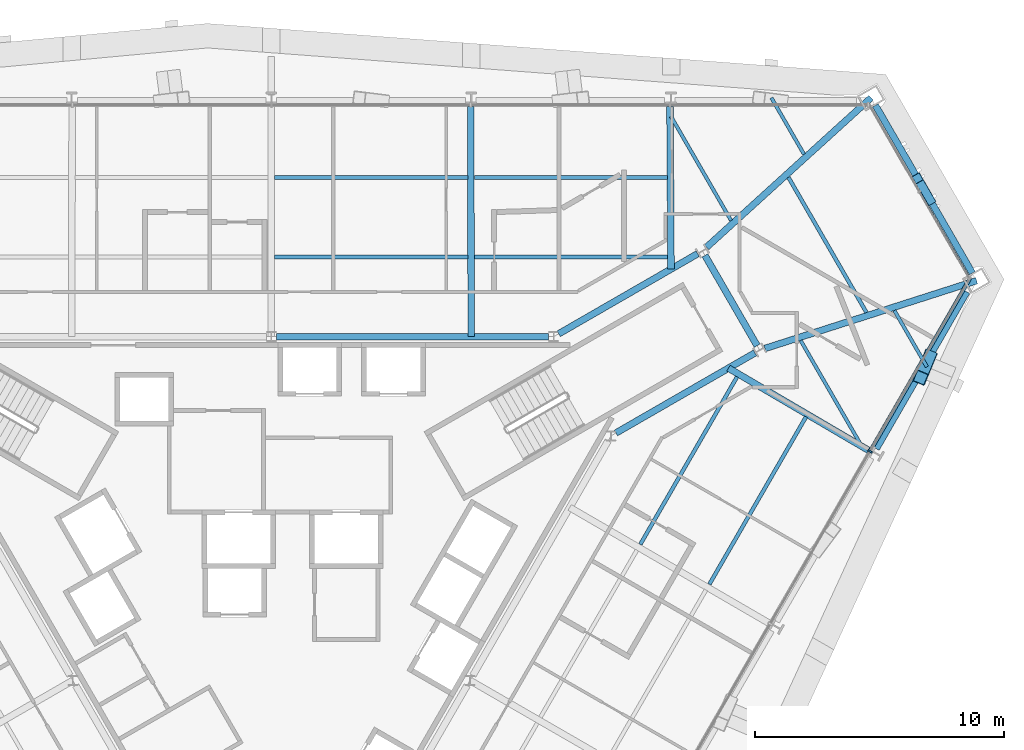
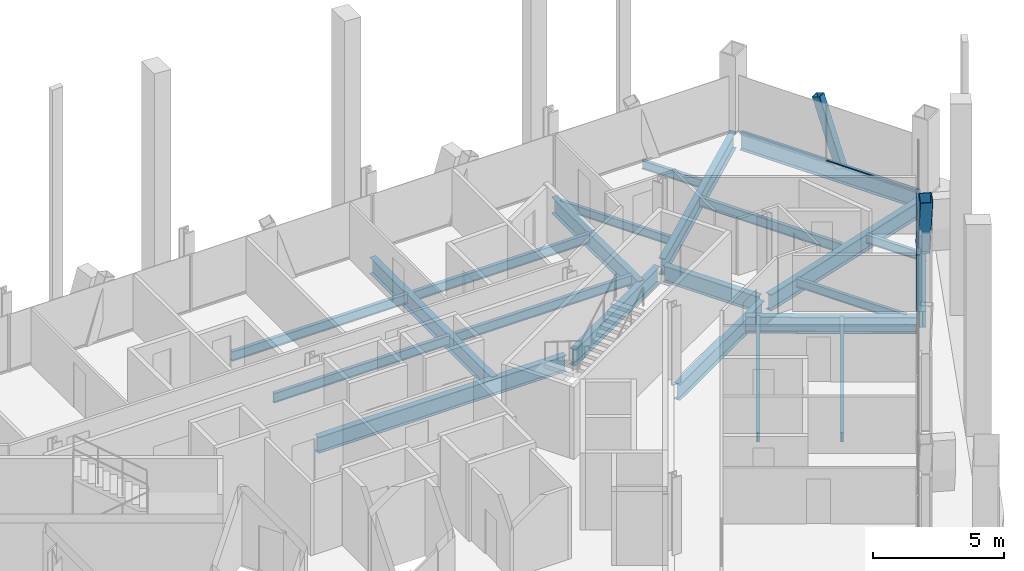
# One storey, part 7 of 16: 22 beams, 5 members, 2 elements without a shape of their own.
"""IFC4 building model written with IfcOpenShell, lengths in metres."""

from ifc_helpers import new_model, si_unit, direction, frame, origin, origin_2d, place, context, subcontext, project, spatial, rectangle, hollow_rectangle, i_section, extrude, material, material_profile, profile_set, type_object, element, aggregate, save


model = new_model("IFC4")

# Units and contexts
model_context = context("Model", 3, precision=1e-05, world=origin(), true_north=direction((0.0, 1.0)))
body_context = subcontext(model_context, "Body", "Model", "MODEL_VIEW")
ifc_project = project(units=[si_unit("LENGTHUNIT", "METRE"), si_unit("AREAUNIT", "SQUARE_METRE"), si_unit("VOLUMEUNIT", "CUBIC_METRE"), si_unit("PLANEANGLEUNIT", "RADIAN"), si_unit("MASSUNIT", "GRAM", prefix="KILO")], contexts=[model_context])

# Site, building, storey
site_placement = place(None, origin())
site = spatial("IfcSite", under=ifc_project, at=site_placement, CompositionType="ELEMENT")
building_placement = place(site_placement, origin())
building = spatial("IfcBuilding", under=site, at=building_placement, Name="Verrane Prism Tower", CompositionType="ELEMENT")
storey_placement = place(building_placement, frame((0.0, 0.0, 103.60009765625)))
storey = spatial("IfcBuildingStorey", under=building, at=storey_placement, Name="L24", CompositionType="ELEMENT", Elevation=103.60009765625)

# Member
ifc_material_1 = material(Name="Steel A500 Grade C", Category="steel")
ifc_material_profile_1 = material_profile(ifc_material_1, hollow_rectangle(XDim=0.355712890625, YDim=0.355712890625, WallThickness=0.0126953125, InnerFilletRadius=0.00634765625, OuterFilletRadius=0.01904296875, at=origin_2d()), Name="HSS14x14x1/2")
ifc_profile_set_1 = profile_set([ifc_material_profile_1], Name="Steel A500 Grade C")
member_type_1 = type_object("IfcMemberType", Name="Chamfer brace HSS14x14x1/2", PredefinedType="BRACE", material=ifc_profile_set_1)
member_1_placement = place(storey_placement, frame((26.442626953125, 14.6826171875, -0.2451171875), z_axis=(-0.159433027634, 0.276098858391, 0.94781355239), x_axis=(-0.865988354552, -0.500064165663, 0.0)))
element("IfcMember", 1, at=member_1_placement, inside=storey, type_object=member_type_1, Name="Chamfer brace NE0 L24", PredefinedType="BRACE", context=body_context, shape_type="SweptSolid", body=[
    extrude(hollow_rectangle(XDim=0.355712890625, YDim=0.355712890625, WallThickness=0.0126953125, InnerFilletRadius=0.00634765625, OuterFilletRadius=0.01904296875, at=origin_2d()), origin(), (0.0, 0.0, 1.0), 3.168212890625),
])

# Beams
ifc_material_2 = material(Name="Steel A992", Category="steel")
ifc_material_profile_2 = material_profile(ifc_material_2, i_section(OverallWidth=0.2666015625, OverallDepth=0.76708984375, WebThickness=0.014892578125, FlangeThickness=0.023681640625, FilletRadius=0.0166015625, at=origin_2d()), Name="W30x124")
ifc_profile_set_2 = profile_set([ifc_material_profile_2], Name="Steel A992")
beam_type_1 = type_object("IfcBeamType", Name="Chamfer spandrel beam W30x124", PredefinedType="SPANDREL", material=ifc_profile_set_2)
beam_1_placement = place(storey_placement, frame((28.135009765625, 11.753173828125, -0.543701171875), z_axis=(-0.500214307011, 0.865901638214, 0.0), x_axis=(-0.865901638214, -0.500214307011, 0.0)))
element("IfcBeam", 2, at=beam_1_placement, inside=storey, type_object=beam_type_1, Name="Chamfer spandrel beam L24", PredefinedType="SPANDREL", context=body_context, shape_type="SweptSolid", body=[
    extrude(i_section(OverallWidth=0.2666015625, OverallDepth=0.76708984375, WebThickness=0.014892578125, FlangeThickness=0.023681640625, FilletRadius=0.0166015625, at=origin_2d()), origin(), (0.0, 0.0, 1.0), 7.7763671875),
])
ifc_material_3 = material(Name="Steel A992", Category="steel")
ifc_material_profile_3 = material_profile(ifc_material_3, i_section(OverallWidth=0.2666015625, OverallDepth=0.7568359375, WebThickness=0.013916015625, FlangeThickness=0.019287109375, FilletRadius=0.0166015625, at=origin_2d()), Name="W30x108")
ifc_profile_set_3 = profile_set([ifc_material_profile_3], Name="Steel A992")
beam_type_2 = type_object("IfcBeamType", Name="Core ring girder W30x108", PredefinedType="BEAM", material=ifc_profile_set_3)
beam_2_placement = place(storey_placement, frame((13.830810546875, 5.335693359375, -0.628662109375), z_axis=(0.866455532004, 0.499254254924, 0.0), x_axis=(-0.499254254924, 0.866455532004, 0.0)))
element("IfcBeam", 3, at=beam_2_placement, inside=storey, type_object=beam_type_2, Name="Core ring girder L24", PredefinedType="BEAM", context=body_context, shape_type="SweptSolid", body=[
    extrude(i_section(OverallWidth=0.2666015625, OverallDepth=0.7568359375, WebThickness=0.013916015625, FlangeThickness=0.019287109375, FilletRadius=0.0166015625, at=origin_2d()), origin(), (0.0, 0.0, 1.0), 6.441162109375),
])
beam_3_placement = place(storey_placement, frame((19.4970703125, 8.838134765625, -0.628662109375), z_axis=(-0.500367003619, 0.865813410435, 0.0), x_axis=(-0.865813410435, -0.500367003619, 0.0)))
element("IfcBeam", 4, at=beam_3_placement, inside=storey, type_object=beam_type_2, Name="Core ring girder L24", PredefinedType="BEAM", context=body_context, shape_type="SweptSolid", body=[
    extrude(i_section(OverallWidth=0.2666015625, OverallDepth=0.7568359375, WebThickness=0.013916015625, FlangeThickness=0.019287109375, FilletRadius=0.0166015625, at=origin_2d()), origin(), (0.0, 0.0, 1.0), 4.185302734375),
])
beam_4_placement = place(storey_placement, frame((17.11181640625, 12.531494140625, -0.628662109375), z_axis=(-0.866455532004, -0.499254254924, 0.0), x_axis=(0.499254254924, -0.866455532004, 0.0)))
element("IfcBeam", 5, at=beam_4_placement, inside=storey, type_object=beam_type_2, Name="Core ring girder L24", PredefinedType="BEAM", context=body_context, shape_type="SweptSolid", body=[
    extrude(i_section(OverallWidth=0.2666015625, OverallDepth=0.7568359375, WebThickness=0.013916015625, FlangeThickness=0.019287109375, FilletRadius=0.0166015625, at=origin_2d()), origin(), (0.0, 0.0, 1.0), 6.441162109375),
])
beam_5_placement = place(storey_placement, frame((11.12939453125, 9.199951171875, -0.628662109375), z_axis=(-1.0, 0.0, 0.0), x_axis=(0.0, -1.0, 0.0)))
element("IfcBeam", 6, at=beam_5_placement, inside=storey, type_object=beam_type_2, Name="Core ring girder L24", PredefinedType="BEAM", context=body_context, shape_type="SweptSolid", body=[
    extrude(i_section(OverallWidth=0.2666015625, OverallDepth=0.7568359375, WebThickness=0.013916015625, FlangeThickness=0.019287109375, FilletRadius=0.0166015625, at=origin_2d()), origin(), (0.0, 0.0, 1.0), 10.9287109375),
])
ifc_material_4 = material(Name="Steel A992", Category="steel")
ifc_material_profile_4 = material_profile(ifc_material_4, i_section(OverallWidth=0.2666015625, OverallDepth=0.76708984375, WebThickness=0.014892578125, FlangeThickness=0.023681640625, FilletRadius=0.0166015625, at=origin_2d()), Name="W30x124")
ifc_profile_set_4 = profile_set([ifc_material_profile_4], Name="Steel A992")
beam_type_3 = type_object("IfcBeamType", Name="Corner girder W30x124", PredefinedType="BEAM", material=ifc_profile_set_4)
beam_6_placement = place(storey_placement, frame((28.3056640625, 11.448486328125, -0.603515625), z_axis=(-0.952340206189, -0.305037918423, 0.0), x_axis=(0.305037918423, -0.952340206189, 0.0)))
element("IfcBeam", 7, at=beam_6_placement, inside=storey, type_object=beam_type_3, Name="Corner girder L24", PredefinedType="BEAM", context=body_context, shape_type="SweptSolid", body=[
    extrude(i_section(OverallWidth=0.2666015625, OverallDepth=0.76708984375, WebThickness=0.014892578125, FlangeThickness=0.023681640625, FilletRadius=0.0166015625, at=origin_2d()), origin(), (0.0, 0.0, 1.0), 8.919189453125),
])
beam_7_placement = place(storey_placement, frame((24.068115234375, 18.788330078125, -0.603515625), z_axis=(-0.740172818675, -0.67241668517, 0.0), x_axis=(0.67241668517, -0.740172818675, 0.0)))
element("IfcBeam", 8, at=beam_7_placement, inside=storey, type_object=beam_type_3, Name="Corner girder L24", PredefinedType="BEAM", context=body_context, shape_type="SweptSolid", body=[
    extrude(i_section(OverallWidth=0.2666015625, OverallDepth=0.76708984375, WebThickness=0.014892578125, FlangeThickness=0.023681640625, FilletRadius=0.0166015625, at=origin_2d()), origin(), (0.0, 0.0, 1.0), 8.921630859375),
])

# Member
ifc_material_5 = material(Name="Steel A1085 Grade A", Category="steel")
ifc_material_profile_5 = material_profile(ifc_material_5, hollow_rectangle(XDim=0.508056640625, YDim=0.508056640625, WallThickness=0.025390625, InnerFilletRadius=0.0126953125, OuterFilletRadius=0.0380859375, at=origin_2d()), Name="HSS20x20x1")
ifc_profile_set_5 = profile_set([ifc_material_profile_5], Name="Steel A1085 Grade A")
member_type_2 = type_object("IfcMemberType", Name="Facade brace HSS20x20x1", PredefinedType="BRACE", material=ifc_profile_set_5)
member_2_placement = place(storey_placement, frame((26.413818359375, 8.402587890625, -0.24267578125), z_axis=(-0.111490091487, -0.269253229302, 0.956594301682), x_axis=(0.923925927829, -0.382571404949, 0.0)))
element("IfcMember", 9, at=member_2_placement, inside=storey, type_object=member_type_2, Name="Facade brace SE5 L24", PredefinedType="BRACE", context=body_context, shape_type="SweptSolid", body=[
    extrude(hollow_rectangle(XDim=0.508056640625, YDim=0.508056640625, WallThickness=0.025390625, InnerFilletRadius=0.0126953125, OuterFilletRadius=0.0380859375, at=origin_2d()), origin(), (0.0, 0.0, 1.0), 3.14453125),
])

# Beams
ifc_material_6 = material(Name="Steel A992", Category="steel")
ifc_material_profile_6 = material_profile(ifc_material_6, i_section(OverallWidth=0.140380859375, OverallDepth=0.40380859375, WebThickness=0.007080078125, FlangeThickness=0.01123046875, FilletRadius=0.01025390625, at=origin_2d()), Name="W16x31")
ifc_profile_set_6 = profile_set([ifc_material_profile_6], Name="Steel A992")
beam_type_4 = type_object("IfcBeamType", Name="Floor beam W16x31", PredefinedType="BEAM", material=ifc_profile_set_6)
beam_8_placement = place(storey_placement, frame((21.37744140625, 16.5244140625, -0.362060546875), z_axis=(-0.500013263306, 0.866017746076, 0.0), x_axis=(-0.866017746076, -0.500013263306, 0.0)))
element("IfcBeam", 10, at=beam_8_placement, inside=storey, type_object=beam_type_4, Name="Floor beam L24", PredefinedType="BEAM", context=body_context, shape_type="SweptSolid", body=[
    extrude(i_section(OverallWidth=0.140380859375, OverallDepth=0.40380859375, WebThickness=0.007080078125, FlangeThickness=0.01123046875, FilletRadius=0.01025390625, at=origin_2d()), origin(), (0.0, 0.0, 1.0), 2.6162109375),
])
beam_9_placement = place(storey_placement, frame((18.4501953125, 13.864990234375, -0.362060546875), z_axis=(-0.499995735968, 0.866027865611, 0.0), x_axis=(-0.866027865611, -0.499995735968, 0.0)))
element("IfcBeam", 11, at=beam_9_placement, inside=storey, type_object=beam_type_4, Name="Floor beam L24", PredefinedType="BEAM", context=body_context, shape_type="SweptSolid", body=[
    extrude(i_section(OverallWidth=0.140380859375, OverallDepth=0.40380859375, WebThickness=0.007080078125, FlangeThickness=0.01123046875, FilletRadius=0.01025390625, at=origin_2d()), origin(), (0.0, 0.0, 1.0), 4.8203125),
])
beam_10_placement = place(storey_placement, frame((26.31298828125, 7.98876953125, -0.362060546875), z_axis=(-0.500037863578, 0.866003542134, 0.0), x_axis=(-0.866003542134, -0.500037863578, 0.0)))
element("IfcBeam", 12, at=beam_10_placement, inside=storey, type_object=beam_type_4, Name="Floor beam L24", PredefinedType="BEAM", context=body_context, shape_type="SweptSolid", body=[
    extrude(i_section(OverallWidth=0.140380859375, OverallDepth=0.40380859375, WebThickness=0.007080078125, FlangeThickness=0.01123046875, FilletRadius=0.01025390625, at=origin_2d()), origin(), (0.0, 0.0, 1.0), 2.613037109375),
])
beam_11_placement = place(storey_placement, frame((23.654052734375, 4.873291015625, -0.362060546875), z_axis=(-0.499991431567, 0.866030350715, 0.0), x_axis=(-0.866030350715, -0.499991431567, 0.0)))
element("IfcBeam", 13, at=beam_11_placement, inside=storey, type_object=beam_type_4, Name="Floor beam L24", PredefinedType="BEAM", context=body_context, shape_type="SweptSolid", body=[
    extrude(i_section(OverallWidth=0.140380859375, OverallDepth=0.40380859375, WebThickness=0.007080078125, FlangeThickness=0.01123046875, FilletRadius=0.01025390625, at=origin_2d()), origin(), (0.0, 0.0, 1.0), 4.81884765625),
])
ifc_material_7 = material(Name="Steel A992", Category="steel")
ifc_material_profile_7 = material_profile(ifc_material_7, i_section(OverallWidth=0.15234375, OverallDepth=0.449462890625, WebThickness=0.007568359375, FlangeThickness=0.0107421875, FilletRadius=0.01025390625, at=origin_2d()), Name="W18x35")
ifc_profile_set_7 = profile_set([ifc_material_profile_7], Name="Steel A992")
beam_type_5 = type_object("IfcBeamType", Name="Floor beam W18x35", PredefinedType="BEAM", material=ifc_profile_set_7)
for number, where, z_axis, x_axis, name in (
    (14, (8.153564453125, 12.396728515625, -0.385009765625), (1.0, 0.0, 0.0), (0.0, 1.0, 0.0), "Floor beam L24"),
    (15, (8.153564453125, 15.59326171875, -0.385009765625), (1.0, 0.0, 0.0), (0.0, 1.0, 0.0), "Floor beam L24"),
    (16, (0.133544921875, 12.396728515625, -0.385009765625), (1.0, 0.0, 0.0), (0.0, 1.0, 0.0), "Floor beam L24"),
    (17, (0.133544921875, 15.59326171875, -0.385009765625), (1.0, 0.0, 0.0), (0.0, 1.0, 0.0), "Floor beam L24"),
):
    element("IfcBeam", number, at=place(storey_placement, frame(where, z_axis=z_axis, x_axis=x_axis)), inside=storey, type_object=beam_type_5, Name=name, PredefinedType="BEAM", context=body_context, shape_type="SweptSolid", body=[
        extrude(i_section(OverallWidth=0.15234375, OverallDepth=0.449462890625, WebThickness=0.007568359375, FlangeThickness=0.0107421875, FilletRadius=0.01025390625, at=origin_2d()), origin(), (0.0, 0.0, 1.0), 7.7529296875),
    ])
beam_12_placement = place(storey_placement, frame((17.58056640625, -0.736572265625, -0.385009765625), z_axis=(0.499974721637, 0.866039997762, 0.0), x_axis=(-0.866039997762, 0.499974721637, 0.0)))
element("IfcBeam", 18, at=beam_12_placement, inside=storey, type_object=beam_type_5, Name="Floor beam L24", PredefinedType="BEAM", context=body_context, shape_type="SweptSolid", body=[
    extrude(i_section(OverallWidth=0.15234375, OverallDepth=0.449462890625, WebThickness=0.007568359375, FlangeThickness=0.0107421875, FilletRadius=0.01025390625, at=origin_2d()), origin(), (0.0, 0.0, 1.0), 7.76318359375),
])
beam_13_placement = place(storey_placement, frame((14.80859375, 0.864501953125, -0.385009765625), z_axis=(0.500014594887, 0.866016977259, 0.0), x_axis=(-0.866016977259, 0.500014594887, 0.0)))
element("IfcBeam", 19, at=beam_13_placement, inside=storey, type_object=beam_type_5, Name="Floor beam L24", PredefinedType="BEAM", context=body_context, shape_type="SweptSolid", body=[
    extrude(i_section(OverallWidth=0.15234375, OverallDepth=0.449462890625, WebThickness=0.007568359375, FlangeThickness=0.0107421875, FilletRadius=0.01025390625, at=origin_2d()), origin(), (0.0, 0.0, 1.0), 7.764404296875),
])
beam_14_placement = place(storey_placement, frame((23.8857421875, 10.173095703125, -0.385009765625), z_axis=(-0.50001262068, 0.866018117109, 0.0), x_axis=(-0.866018117109, -0.50001262068, 0.0)))
element("IfcBeam", 20, at=beam_14_placement, inside=storey, type_object=beam_type_5, Name="Floor beam L24", PredefinedType="BEAM", context=body_context, shape_type="SweptSolid", body=[
    extrude(i_section(OverallWidth=0.15234375, OverallDepth=0.449462890625, WebThickness=0.007568359375, FlangeThickness=0.0107421875, FilletRadius=0.01025390625, at=origin_2d()), origin(), (0.0, 0.0, 1.0), 6.263427734375),
])

# Curtain wall, member
ifc_material_8 = material(Name="Aluminium framed insulated glazing", Category="aluminium")
curtain_wall_type_1 = type_object("IfcCurtainWallType", Name="Curtain wall CW-A 8400 module", PredefinedType="NOTDEFINED", material=ifc_material_8)
curtain_wall_1_placement = place(storey_placement, origin())
curtain_wall_1 = element("IfcCurtainWall", 21, at=curtain_wall_1_placement, inside=storey, type_object=curtain_wall_type_1, Name="Glazed curtain wall south-east face L24", PredefinedType="NOTDEFINED")
ifc_material_9 = material(Name="Aluminium alloy 6063-T6", Category="aluminium")
ifc_material_profile_8 = material_profile(ifc_material_9, rectangle(XDim=0.199951171875, YDim=0.070068359375, at=origin_2d()), Name="Mullion 70x200 aluminium")
ifc_profile_set_8 = profile_set([ifc_material_profile_8], Name="Aluminium alloy 6063-T6")
member_type_3 = type_object("IfcMemberType", Name="Mullion 70x200 aluminium", PredefinedType="MULLION", material=ifc_profile_set_8)
member_3_placement = place(storey_placement, frame((24.029052734375, 4.597412109375, 0.0), z_axis=(0.0, 0.0, 1.0), x_axis=(-0.866025402318, 0.500000002539, 0.0)))
member_3 = element("IfcMember", 22, at=member_3_placement, type_object=member_type_3, Name="CW24.6 mullion 6", PredefinedType="MULLION", context=body_context, shape_type="SweptSolid", body=[
    extrude(rectangle(XDim=0.199951171875, YDim=0.070068359375, at=origin_2d()), origin(), (0.0, 0.0, 1.0), 2.61279296875),
])

# Beams
ifc_material_10 = material(Name="Steel A992", Category="steel")
ifc_material_profile_9 = material_profile(ifc_material_10, i_section(OverallWidth=0.2666015625, OverallDepth=0.76708984375, WebThickness=0.014892578125, FlangeThickness=0.023681640625, FilletRadius=0.0166015625, at=origin_2d()), Name="W30x124")
ifc_profile_set_9 = profile_set([ifc_material_profile_9], Name="Steel A992")
beam_type_6 = type_object("IfcBeamType", Name="Radial girder W30x124", PredefinedType="BEAM", material=ifc_profile_set_9)
beam_15_placement = place(storey_placement, frame((15.997314453125, 18.433837890625, -0.603515625), z_axis=(0.006552939248, -0.999978529263, 0.0), x_axis=(0.999978529263, 0.006552939248, 0.0)))
element("IfcBeam", 23, at=beam_15_placement, inside=storey, type_object=beam_type_6, Name="Radial girder L24", PredefinedType="BEAM", context=body_context, shape_type="SweptSolid", body=[
    extrude(i_section(OverallWidth=0.2666015625, OverallDepth=0.76708984375, WebThickness=0.014892578125, FlangeThickness=0.023681640625, FilletRadius=0.0166015625, at=origin_2d()), origin(), (0.0, 0.0, 1.0), 6.52001953125),
])
beam_16_placement = place(storey_placement, frame((7.99853515625, 18.433837890625, -0.603515625), z_axis=(0.002326681873, -0.999997293272, 0.0), x_axis=(0.999997293272, 0.002326681873, 0.0)))
element("IfcBeam", 24, at=beam_16_placement, inside=storey, type_object=beam_type_6, Name="Radial girder L24", PredefinedType="BEAM", context=body_context, shape_type="SweptSolid", body=[
    extrude(i_section(OverallWidth=0.2666015625, OverallDepth=0.76708984375, WebThickness=0.014892578125, FlangeThickness=0.023681640625, FilletRadius=0.0166015625, at=origin_2d()), origin(), (0.0, 0.0, 1.0), 9.23388671875),
])
beam_17_placement = place(storey_placement, frame((23.968017578125, 4.640380859375, -0.603515625), z_axis=(-0.862593129659, 0.50589830269, 0.0), x_axis=(-0.50589830269, -0.862593129659, 0.0)))
element("IfcBeam", 25, at=beam_17_placement, inside=storey, type_object=beam_type_6, Name="Radial girder L24", PredefinedType="BEAM", context=body_context, shape_type="SweptSolid", body=[
    extrude(i_section(OverallWidth=0.2666015625, OverallDepth=0.76708984375, WebThickness=0.014892578125, FlangeThickness=0.023681640625, FilletRadius=0.0166015625, at=origin_2d()), origin(), (0.0, 0.0, 1.0), 6.517333984375),
])
ifc_material_11 = material(Name="Steel A992", Category="steel")
ifc_material_profile_10 = material_profile(ifc_material_11, i_section(OverallWidth=0.2666015625, OverallDepth=0.7568359375, WebThickness=0.013916015625, FlangeThickness=0.019287109375, FilletRadius=0.0166015625, at=origin_2d()), Name="W30x108")
ifc_profile_set_10 = profile_set([ifc_material_profile_10], Name="Steel A992")
beam_type_7 = type_object("IfcBeamType", Name="Spandrel beam W30x108", PredefinedType="SPANDREL", material=ifc_profile_set_10)
beam_18_placement = place(storey_placement, frame((24.27880859375, 4.7041015625, -0.53857421875), z_axis=(0.499906579668, 0.86607933332, 0.0), x_axis=(-0.86607933332, 0.499906579668, 0.0)))
element("IfcBeam", 26, at=beam_18_placement, inside=storey, type_object=beam_type_7, Name="Spandrel beam L24", PredefinedType="SPANDREL", context=body_context, shape_type="SweptSolid", body=[
    extrude(i_section(OverallWidth=0.2666015625, OverallDepth=0.7568359375, WebThickness=0.013916015625, FlangeThickness=0.019287109375, FilletRadius=0.0166015625, at=origin_2d()), origin(), (0.0, 0.0, 1.0), 7.26953125),
])

# Curtain wall, member
ifc_material_12 = material(Name="Aluminium framed insulated glazing", Category="aluminium")
curtain_wall_type_2 = type_object("IfcCurtainWallType", Name="Curtain wall CW-C 4200 module", PredefinedType="NOTDEFINED", material=ifc_material_12)
curtain_wall_2_placement = place(storey_placement, origin())
curtain_wall_2 = element("IfcCurtainWall", 27, at=curtain_wall_2_placement, inside=storey, type_object=curtain_wall_type_2, Name="Glazed curtain wall north-east corner L24", PredefinedType="NOTDEFINED")
ifc_material_13 = material(Name="Aluminium alloy 6063-T6", Category="aluminium")
ifc_material_profile_11 = material_profile(ifc_material_13, rectangle(XDim=0.10009765625, YDim=0.050048828125, at=origin_2d()), Name="Transom 50x100 aluminium")
ifc_profile_set_11 = profile_set([ifc_material_profile_11], Name="Aluminium alloy 6063-T6")
member_type_4 = type_object("IfcMemberType", Name="Transom 50x100 aluminium", PredefinedType="USERDEFINED", material=ifc_profile_set_11)
member_4_placement = place(storey_placement, frame((28.0029296875, 11.5673828125, 0.02490234375), z_axis=(-0.500012495779, 0.866018189223, 0.0), x_axis=(-0.866018189223, -0.500012495779, 0.0)))
member_4 = element("IfcMember", 28, at=member_4_placement, type_object=member_type_4, Name="CW24.1 transom 1", ObjectType="TRANSOM", PredefinedType="USERDEFINED", context=body_context, shape_type="SweptSolid", body=[
    extrude(rectangle(XDim=0.10009765625, YDim=0.050048828125, at=origin_2d()), origin(), (0.0, 0.0, 1.0), 3.958984375),
])
aggregate(curtain_wall_2, [member_4])

# Member
ifc_material_14 = material(Name="Aluminium alloy 6063-T6", Category="aluminium")
ifc_material_profile_12 = material_profile(ifc_material_14, rectangle(XDim=0.14990234375, YDim=0.070068359375, at=origin_2d()), Name="Transom 70x150 aluminium")
ifc_profile_set_12 = profile_set([ifc_material_profile_12], Name="Aluminium alloy 6063-T6")
member_type_5 = type_object("IfcMemberType", Name="Transom 70x150 aluminium", PredefinedType="USERDEFINED", material=ifc_profile_set_12)
member_5_placement = place(storey_placement, frame((24.04638671875, 4.6279296875, 0.034912109375), z_axis=(0.500026772375, 0.866009946195, 0.0), x_axis=(-0.866009946195, 0.500026772375, 0.0)))
member_5 = element("IfcMember", 29, at=member_5_placement, type_object=member_type_5, Name="CW24.6 transom 6", ObjectType="TRANSOM", PredefinedType="USERDEFINED", context=body_context, shape_type="SweptSolid", body=[
    extrude(rectangle(XDim=0.14990234375, YDim=0.070068359375, at=origin_2d()), origin(), (0.0, 0.0, 1.0), 7.962890625),
])

aggregate(curtain_wall_1, [member_3, member_5])

save(model, "model.ifc")
